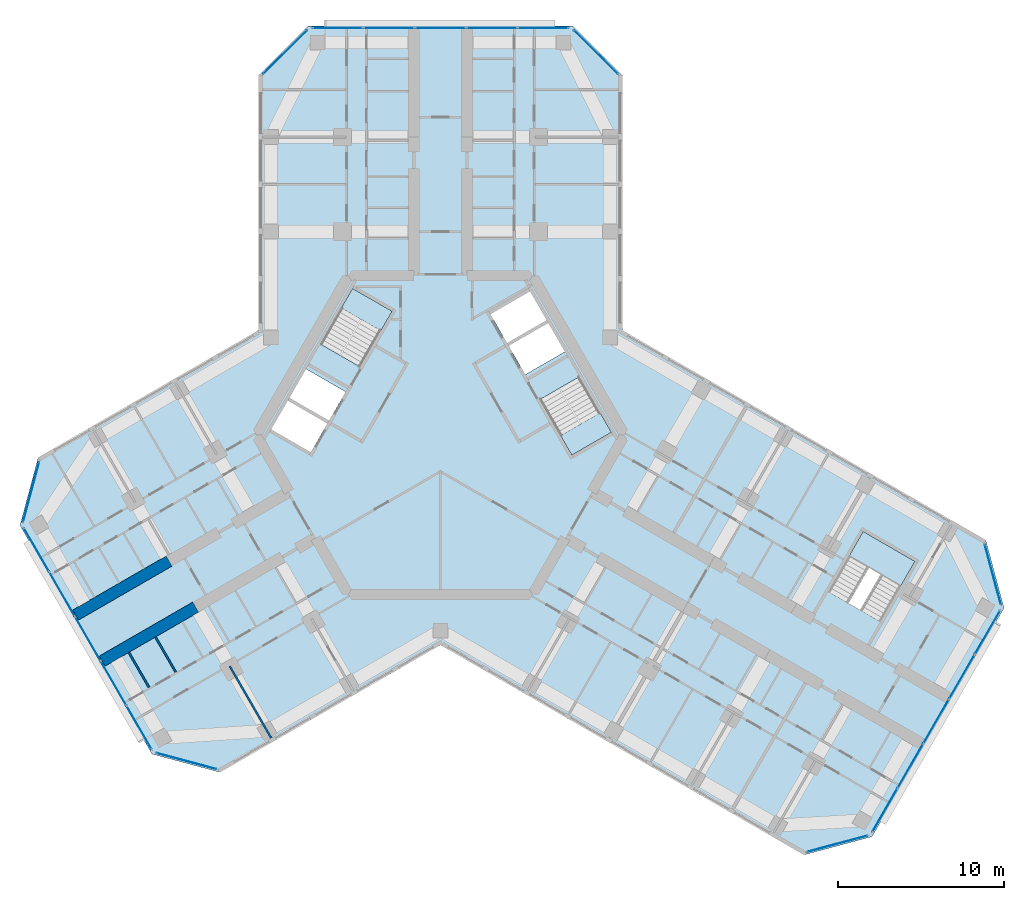
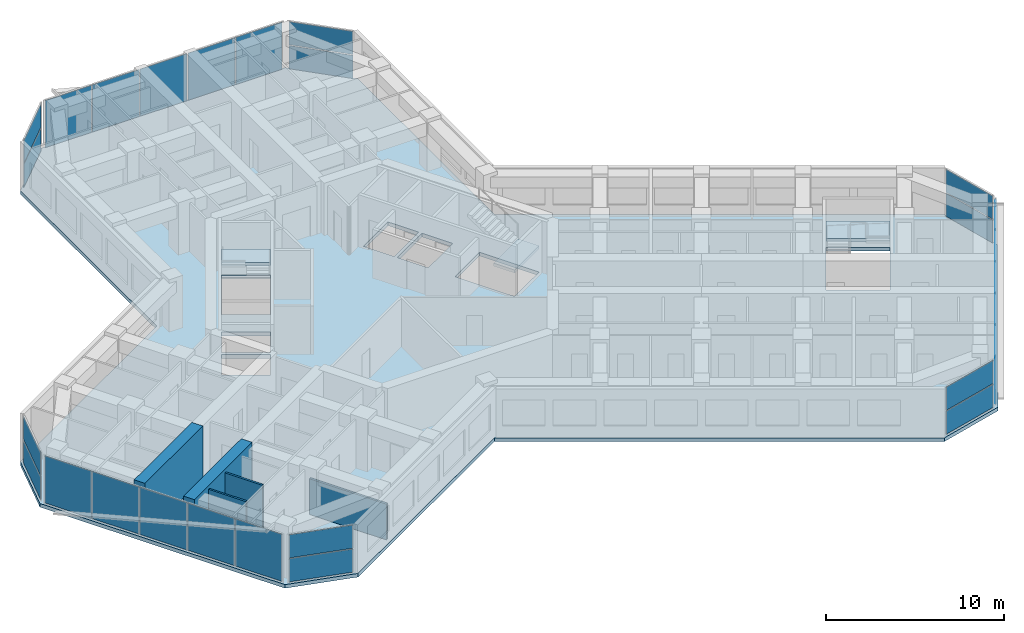
# One storey, part 7 of 16: 27 plates, 5 walls, 4 slabs, 12 elements without a shape of their own.
"""IFC4 building model written with IfcOpenShell, lengths in metres."""

from ifc_helpers import new_model, si_unit, direction, frame, frame_2d, origin, origin_2d, place, context, subcontext, project, spatial, polyline, rectangle, outline, extrude, material, layer, layer_set, type_object, element, aggregate, save


model = new_model("IFC4")

# Units and contexts
model_context = context("Model", 3, precision=1e-05, world=origin(), true_north=direction((0.0, 1.0)))
body_context = subcontext(model_context, "Body", "Model", "MODEL_VIEW")
ifc_project = project(units=[si_unit("LENGTHUNIT", "METRE"), si_unit("AREAUNIT", "SQUARE_METRE"), si_unit("VOLUMEUNIT", "CUBIC_METRE"), si_unit("PLANEANGLEUNIT", "RADIAN"), si_unit("MASSUNIT", "GRAM", prefix="KILO")], contexts=[model_context])

# Site, building, storey
site_placement = place(None, origin())
site = spatial("IfcSite", under=ifc_project, at=site_placement, CompositionType="ELEMENT")
building_placement = place(site_placement, origin())
building = spatial("IfcBuilding", under=site, at=building_placement, Name="Kosmar Iwan School Tower", CompositionType="ELEMENT")
storey_placement = place(building_placement, frame((0.0, 0.0, 201.0)))
storey = spatial("IfcBuildingStorey", under=building, at=storey_placement, Name="L50", CompositionType="ELEMENT", Elevation=201.0)

# Curtain wall, plates
ifc_material_1 = material(Name="Dark glass in black aluminium frame", Category="aluminium")
curtain_wall_type_1 = type_object("IfcCurtainWallType", Name="Chamfer curtain wall dark glass", PredefinedType="USERDEFINED", material=ifc_material_1)
curtain_wall_1_placement = place(storey_placement, origin())
curtain_wall_1 = element("IfcCurtainWall", 1, at=curtain_wall_1_placement, inside=storey, type_object=curtain_wall_type_1, Name="Curtain wall L50-F00", ObjectType="FACETED CURTAIN WALL", PredefinedType="USERDEFINED")
ifc_material_2 = material(Name="Dark glass", Category="glass")
ifc_layer_1 = layer(ifc_material_2, 0.028076171875)
ifc_layer_set_1 = layer_set([ifc_layer_1], Name="Dark glass panel 28")
plate_type = type_object("IfcPlateType", Name="Dark glass panel 28", PredefinedType="CURTAIN_PANEL", material=ifc_layer_set_1)
plate_1_placement = place(storey_placement, frame((23.908203125, -24.61328125, 0.06005859375), z_axis=(0.0, 0.0, 1.0), x_axis=(0.965925875495, 0.258818861462, 0.0)))
plate_1 = element("IfcPlate", 2, at=plate_1_placement, type_object=plate_type, Name="CW2 panel 1.1", PredefinedType="CURTAIN_PANEL", context=body_context, shape_type="SweptSolid", body=[
    extrude(rectangle(XDim=3.718994140625, YDim=0.028076171875, at=origin_2d()), origin(), (0.0, 0.0, 1.0), 1.5849609375),
])
plate_2_placement = place(storey_placement, frame((23.908203125, -24.61328125, 1.705078125), z_axis=(0.0, 0.0, 1.0), x_axis=(0.965925875495, 0.258818861462, 0.0)))
plate_2 = element("IfcPlate", 3, at=plate_2_placement, type_object=plate_type, Name="CW2 panel 1.2", PredefinedType="CURTAIN_PANEL", context=body_context, shape_type="SweptSolid", body=[
    extrude(rectangle(XDim=3.718994140625, YDim=0.028076171875, at=origin_2d()), origin(), (0.0, 0.0, 1.0), 1.5849609375),
])
aggregate(curtain_wall_1, [plate_1, plate_2])

ifc_material_3 = material(Name="Dark glass in black aluminium frame", Category="aluminium")
curtain_wall_type_2 = type_object("IfcCurtainWallType", Name="Tower curtain wall dark glass", PredefinedType="USERDEFINED", material=ifc_material_3)
curtain_wall_2_placement = place(storey_placement, origin())
curtain_wall_2 = element("IfcCurtainWall", 4, at=curtain_wall_2_placement, inside=storey, type_object=curtain_wall_type_2, Name="Curtain wall L50-F01", ObjectType="UNITISED CURTAIN WALL", PredefinedType="USERDEFINED")
plate_3_placement = place(storey_placement, frame((26.764404296875, -22.592529296875, 0.06005859375), z_axis=(0.0, 0.0, 1.0), x_axis=(0.499999997325, 0.866025405329, 0.0)))
plate_3 = element("IfcPlate", 5, at=plate_3_placement, type_object=plate_type, Name="CW1 panel 1.1", PredefinedType="CURTAIN_PANEL", context=body_context, shape_type="SweptSolid", body=[
    extrude(rectangle(XDim=3.00927734375, YDim=0.028076171875, at=origin_2d()), origin(), (0.0, 0.0, 1.0), 3.22998046875),
])
plate_4_placement = place(storey_placement, frame((28.306640625, -19.921630859375, 0.06005859375), z_axis=(0.0, 0.0, 1.0), x_axis=(0.499999997325, 0.866025405329, 0.0)))
plate_4 = element("IfcPlate", 6, at=plate_4_placement, type_object=plate_type, Name="CW1 panel 2.1", PredefinedType="CURTAIN_PANEL", context=body_context, shape_type="SweptSolid", body=[
    extrude(rectangle(XDim=3.039306640625, YDim=0.028076171875, at=origin_2d()), origin(), (0.0, 0.0, 1.0), 3.22998046875),
])
plate_5_placement = place(storey_placement, frame((29.856201171875, -17.237548828125, 0.06005859375), z_axis=(0.0, 0.0, 1.0), x_axis=(0.499999997325, 0.866025405329, 0.0)))
plate_5 = element("IfcPlate", 7, at=plate_5_placement, type_object=plate_type, Name="CW1 panel 3.1", PredefinedType="CURTAIN_PANEL", context=body_context, shape_type="SweptSolid", body=[
    extrude(rectangle(XDim=3.039306640625, YDim=0.028076171875, at=origin_2d()), origin(), (0.0, 0.0, 1.0), 3.22998046875),
])
plate_6_placement = place(storey_placement, frame((31.40576171875, -14.553466796875, 0.06005859375), z_axis=(0.0, 0.0, 1.0), x_axis=(0.499999997325, 0.866025405329, 0.0)))
plate_6 = element("IfcPlate", 8, at=plate_6_placement, type_object=plate_type, Name="CW1 panel 4.1", PredefinedType="CURTAIN_PANEL", context=body_context, shape_type="SweptSolid", body=[
    extrude(rectangle(XDim=3.039306640625, YDim=0.028076171875, at=origin_2d()), origin(), (0.0, 0.0, 1.0), 3.22998046875),
])
plate_7_placement = place(storey_placement, frame((32.947998046875, -11.88232421875, 0.06005859375), z_axis=(0.0, 0.0, 1.0), x_axis=(0.499999997325, 0.866025405329, 0.0)))
plate_7 = element("IfcPlate", 9, at=plate_7_placement, type_object=plate_type, Name="CW1 panel 5.1", PredefinedType="CURTAIN_PANEL", context=body_context, shape_type="SweptSolid", body=[
    extrude(rectangle(XDim=3.00927734375, YDim=0.028076171875, at=origin_2d()), origin(), (0.0, 0.0, 1.0), 3.22998046875),
])
aggregate(curtain_wall_2, [plate_3, plate_4, plate_5, plate_6, plate_7])

curtain_wall_3_placement = place(storey_placement, origin())
curtain_wall_3 = element("IfcCurtainWall", 10, at=curtain_wall_3_placement, inside=storey, type_object=curtain_wall_type_1, Name="Curtain wall L50-F02", ObjectType="FACETED CURTAIN WALL", PredefinedType="USERDEFINED")
plate_8_placement = place(storey_placement, frame((33.269775390625, -8.3984375, 0.06005859375), z_axis=(0.0, 0.0, 1.0), x_axis=(-0.258818861462, 0.965925875495, 0.0)))
plate_8 = element("IfcPlate", 11, at=plate_8_placement, type_object=plate_type, Name="CW2 panel 1.1", PredefinedType="CURTAIN_PANEL", context=body_context, shape_type="SweptSolid", body=[
    extrude(rectangle(XDim=3.718994140625, YDim=0.028076171875, at=origin_2d()), origin(), (0.0, 0.0, 1.0), 1.5849609375),
])
plate_9_placement = place(storey_placement, frame((33.269775390625, -8.3984375, 1.705078125), z_axis=(0.0, 0.0, 1.0), x_axis=(-0.258818861462, 0.965925875495, 0.0)))
plate_9 = element("IfcPlate", 12, at=plate_9_placement, type_object=plate_type, Name="CW2 panel 1.2", PredefinedType="CURTAIN_PANEL", context=body_context, shape_type="SweptSolid", body=[
    extrude(rectangle(XDim=3.718994140625, YDim=0.028076171875, at=origin_2d()), origin(), (0.0, 0.0, 1.0), 1.5849609375),
])
aggregate(curtain_wall_3, [plate_8, plate_9])

curtain_wall_4_placement = place(storey_placement, origin())
curtain_wall_4 = element("IfcCurtainWall", 13, at=curtain_wall_4_placement, inside=storey, type_object=curtain_wall_type_1, Name="Curtain wall L50-F05", ObjectType="FACETED CURTAIN WALL", PredefinedType="USERDEFINED")
plate_10_placement = place(storey_placement, frame((9.361572265625, 23.0615234375, 0.06005859375), z_axis=(0.0, 0.0, 1.0), x_axis=(-0.707106781187, 0.707106781187, 0.0)))
plate_10 = element("IfcPlate", 14, at=plate_10_placement, type_object=plate_type, Name="CW2 panel 1.1", PredefinedType="CURTAIN_PANEL", context=body_context, shape_type="SweptSolid", body=[
    extrude(rectangle(XDim=3.718994140625, YDim=0.028076171875, at=origin_2d()), origin(), (0.0, 0.0, 1.0), 1.5849609375),
])
plate_11_placement = place(storey_placement, frame((9.361572265625, 23.0615234375, 1.705078125), z_axis=(0.0, 0.0, 1.0), x_axis=(-0.707106781187, 0.707106781187, 0.0)))
plate_11 = element("IfcPlate", 15, at=plate_11_placement, type_object=plate_type, Name="CW2 panel 1.2", PredefinedType="CURTAIN_PANEL", context=body_context, shape_type="SweptSolid", body=[
    extrude(rectangle(XDim=3.718994140625, YDim=0.028076171875, at=origin_2d()), origin(), (0.0, 0.0, 1.0), 1.5849609375),
])
aggregate(curtain_wall_4, [plate_10, plate_11])

curtain_wall_5_placement = place(storey_placement, origin())
curtain_wall_5 = element("IfcCurtainWall", 16, at=curtain_wall_5_placement, inside=storey, type_object=curtain_wall_type_2, Name="Curtain wall L50-F06", ObjectType="UNITISED CURTAIN WALL", PredefinedType="USERDEFINED")
plate_12_placement = place(storey_placement, frame((6.18359375, 24.52490234375, 0.06005859375), z_axis=(0.0, 0.0, 1.0), x_axis=(-1.0, 0.0, 0.0)))
plate_12 = element("IfcPlate", 17, at=plate_12_placement, type_object=plate_type, Name="CW1 panel 1.1", PredefinedType="CURTAIN_PANEL", context=body_context, shape_type="SweptSolid", body=[
    extrude(rectangle(XDim=3.00927734375, YDim=0.028076171875, at=origin_2d()), origin(), (0.0, 0.0, 1.0), 3.22998046875),
])
plate_13_placement = place(storey_placement, frame((3.099365234375, 24.52490234375, 0.06005859375), z_axis=(0.0, 0.0, 1.0), x_axis=(-1.0, 0.0, 0.0)))
plate_13 = element("IfcPlate", 18, at=plate_13_placement, type_object=plate_type, Name="CW1 panel 2.1", PredefinedType="CURTAIN_PANEL", context=body_context, shape_type="SweptSolid", body=[
    extrude(rectangle(XDim=3.039306640625, YDim=0.028076171875, at=origin_2d()), origin(), (0.0, 0.0, 1.0), 3.22998046875),
])
plate_14_placement = place(storey_placement, frame((0.0, 24.52490234375, 0.06005859375), z_axis=(0.0, 0.0, 1.0), x_axis=(-1.0, 0.0, 0.0)))
plate_14 = element("IfcPlate", 19, at=plate_14_placement, type_object=plate_type, Name="CW1 panel 3.1", PredefinedType="CURTAIN_PANEL", context=body_context, shape_type="SweptSolid", body=[
    extrude(rectangle(XDim=3.039306640625, YDim=0.028076171875, at=origin_2d()), origin(), (0.0, 0.0, 1.0), 3.22998046875),
])
plate_15_placement = place(storey_placement, frame((-3.099365234375, 24.52490234375, 0.06005859375), z_axis=(0.0, 0.0, 1.0), x_axis=(-1.0, 0.0, 0.0)))
plate_15 = element("IfcPlate", 20, at=plate_15_placement, type_object=plate_type, Name="CW1 panel 4.1", PredefinedType="CURTAIN_PANEL", context=body_context, shape_type="SweptSolid", body=[
    extrude(rectangle(XDim=3.039306640625, YDim=0.028076171875, at=origin_2d()), origin(), (0.0, 0.0, 1.0), 3.22998046875),
])
plate_16_placement = place(storey_placement, frame((-6.18359375, 24.52490234375, 0.06005859375), z_axis=(0.0, 0.0, 1.0), x_axis=(-1.0, 0.0, 0.0)))
plate_16 = element("IfcPlate", 21, at=plate_16_placement, type_object=plate_type, Name="CW1 panel 5.1", PredefinedType="CURTAIN_PANEL", context=body_context, shape_type="SweptSolid", body=[
    extrude(rectangle(XDim=3.00927734375, YDim=0.028076171875, at=origin_2d()), origin(), (0.0, 0.0, 1.0), 3.22998046875),
])
aggregate(curtain_wall_5, [plate_12, plate_13, plate_14, plate_15, plate_16])

curtain_wall_6_placement = place(storey_placement, origin())
curtain_wall_6 = element("IfcCurtainWall", 22, at=curtain_wall_6_placement, inside=storey, type_object=curtain_wall_type_1, Name="Curtain wall L50-F07", ObjectType="FACETED CURTAIN WALL", PredefinedType="USERDEFINED")
plate_17_placement = place(storey_placement, frame((-9.361572265625, 23.0615234375, 0.06005859375), z_axis=(0.0, 0.0, 1.0), x_axis=(-0.707106781187, -0.707106781187, 0.0)))
plate_17 = element("IfcPlate", 23, at=plate_17_placement, type_object=plate_type, Name="CW2 panel 1.1", PredefinedType="CURTAIN_PANEL", context=body_context, shape_type="SweptSolid", body=[
    extrude(rectangle(XDim=3.718994140625, YDim=0.028076171875, at=origin_2d()), origin(), (0.0, 0.0, 1.0), 1.5849609375),
])
plate_18_placement = place(storey_placement, frame((-9.361572265625, 23.0615234375, 1.705078125), z_axis=(0.0, 0.0, 1.0), x_axis=(-0.707106781187, -0.707106781187, 0.0)))
plate_18 = element("IfcPlate", 24, at=plate_18_placement, type_object=plate_type, Name="CW2 panel 1.2", PredefinedType="CURTAIN_PANEL", context=body_context, shape_type="SweptSolid", body=[
    extrude(rectangle(XDim=3.718994140625, YDim=0.028076171875, at=origin_2d()), origin(), (0.0, 0.0, 1.0), 1.5849609375),
])
aggregate(curtain_wall_6, [plate_17, plate_18])

curtain_wall_7_placement = place(storey_placement, origin())
curtain_wall_7 = element("IfcCurtainWall", 25, at=curtain_wall_7_placement, inside=storey, type_object=curtain_wall_type_1, Name="Curtain wall L50-F10", ObjectType="FACETED CURTAIN WALL", PredefinedType="USERDEFINED")
plate_19_placement = place(storey_placement, frame((-24.65283203125, -3.42333984375, 0.06005859375), z_axis=(0.0, 0.0, 1.0), x_axis=(-0.258818861462, -0.965925875495, 0.0)))
plate_19 = element("IfcPlate", 26, at=plate_19_placement, type_object=plate_type, Name="CW2 panel 1.1", PredefinedType="CURTAIN_PANEL", context=body_context, shape_type="SweptSolid", body=[
    extrude(rectangle(XDim=3.718994140625, YDim=0.028076171875, at=origin_2d()), origin(), (0.0, 0.0, 1.0), 1.5849609375),
])
plate_20_placement = place(storey_placement, frame((-24.65283203125, -3.42333984375, 1.705078125), z_axis=(0.0, 0.0, 1.0), x_axis=(-0.258818861462, -0.965925875495, 0.0)))
plate_20 = element("IfcPlate", 27, at=plate_20_placement, type_object=plate_type, Name="CW2 panel 1.2", PredefinedType="CURTAIN_PANEL", context=body_context, shape_type="SweptSolid", body=[
    extrude(rectangle(XDim=3.718994140625, YDim=0.028076171875, at=origin_2d()), origin(), (0.0, 0.0, 1.0), 1.5849609375),
])
aggregate(curtain_wall_7, [plate_19, plate_20])

curtain_wall_8_placement = place(storey_placement, origin())
curtain_wall_8 = element("IfcCurtainWall", 28, at=curtain_wall_8_placement, inside=storey, type_object=curtain_wall_type_2, Name="Curtain wall L50-F11", ObjectType="UNITISED CURTAIN WALL", PredefinedType="USERDEFINED")
plate_21_placement = place(storey_placement, frame((-24.3310546875, -6.907470703125, 0.06005859375), z_axis=(0.0, 0.0, 1.0), x_axis=(0.499999997325, -0.866025405329, 0.0)))
plate_21 = element("IfcPlate", 29, at=plate_21_placement, type_object=plate_type, Name="CW1 panel 1.1", PredefinedType="CURTAIN_PANEL", context=body_context, shape_type="SweptSolid", body=[
    extrude(rectangle(XDim=3.00927734375, YDim=0.028076171875, at=origin_2d()), origin(), (0.0, 0.0, 1.0), 3.22998046875),
])
plate_22_placement = place(storey_placement, frame((-22.788818359375, -9.578369140625, 0.06005859375), z_axis=(0.0, 0.0, 1.0), x_axis=(0.499999997325, -0.866025405329, 0.0)))
plate_22 = element("IfcPlate", 30, at=plate_22_placement, type_object=plate_type, Name="CW1 panel 2.1", PredefinedType="CURTAIN_PANEL", context=body_context, shape_type="SweptSolid", body=[
    extrude(rectangle(XDim=3.039306640625, YDim=0.028076171875, at=origin_2d()), origin(), (0.0, 0.0, 1.0), 3.22998046875),
])
plate_23_placement = place(storey_placement, frame((-21.2392578125, -12.262451171875, 0.06005859375), z_axis=(0.0, 0.0, 1.0), x_axis=(0.499999997325, -0.866025405329, 0.0)))
plate_23 = element("IfcPlate", 31, at=plate_23_placement, type_object=plate_type, Name="CW1 panel 3.1", PredefinedType="CURTAIN_PANEL", context=body_context, shape_type="SweptSolid", body=[
    extrude(rectangle(XDim=3.039306640625, YDim=0.028076171875, at=origin_2d()), origin(), (0.0, 0.0, 1.0), 3.22998046875),
])
plate_24_placement = place(storey_placement, frame((-19.689697265625, -14.946533203125, 0.06005859375), z_axis=(0.0, 0.0, 1.0), x_axis=(0.499999997325, -0.866025405329, 0.0)))
plate_24 = element("IfcPlate", 32, at=plate_24_placement, type_object=plate_type, Name="CW1 panel 4.1", PredefinedType="CURTAIN_PANEL", context=body_context, shape_type="SweptSolid", body=[
    extrude(rectangle(XDim=3.039306640625, YDim=0.028076171875, at=origin_2d()), origin(), (0.0, 0.0, 1.0), 3.22998046875),
])
plate_25_placement = place(storey_placement, frame((-18.1474609375, -17.61767578125, 0.06005859375), z_axis=(0.0, 0.0, 1.0), x_axis=(0.499999997325, -0.866025405329, 0.0)))
plate_25 = element("IfcPlate", 33, at=plate_25_placement, type_object=plate_type, Name="CW1 panel 5.1", PredefinedType="CURTAIN_PANEL", context=body_context, shape_type="SweptSolid", body=[
    extrude(rectangle(XDim=3.00927734375, YDim=0.028076171875, at=origin_2d()), origin(), (0.0, 0.0, 1.0), 3.22998046875),
])
aggregate(curtain_wall_8, [plate_21, plate_22, plate_23, plate_24, plate_25])

curtain_wall_9_placement = place(storey_placement, origin())
curtain_wall_9 = element("IfcCurtainWall", 34, at=curtain_wall_9_placement, inside=storey, type_object=curtain_wall_type_1, Name="Curtain wall L50-F12", ObjectType="FACETED CURTAIN WALL", PredefinedType="USERDEFINED")
plate_26_placement = place(storey_placement, frame((-15.291015625, -19.63818359375, 0.06005859375), z_axis=(0.0, 0.0, 1.0), x_axis=(0.965925875495, -0.258818861462, 0.0)))
plate_26 = element("IfcPlate", 35, at=plate_26_placement, type_object=plate_type, Name="CW2 panel 1.1", PredefinedType="CURTAIN_PANEL", context=body_context, shape_type="SweptSolid", body=[
    extrude(rectangle(XDim=3.718994140625, YDim=0.028076171875, at=origin_2d()), origin(), (0.0, 0.0, 1.0), 1.5849609375),
])
plate_27_placement = place(storey_placement, frame((-15.291015625, -19.63818359375, 1.705078125), z_axis=(0.0, 0.0, 1.0), x_axis=(0.965925875495, -0.258818861462, 0.0)))
plate_27 = element("IfcPlate", 36, at=plate_27_placement, type_object=plate_type, Name="CW2 panel 1.2", PredefinedType="CURTAIN_PANEL", context=body_context, shape_type="SweptSolid", body=[
    extrude(rectangle(XDim=3.718994140625, YDim=0.028076171875, at=origin_2d()), origin(), (0.0, 0.0, 1.0), 1.5849609375),
])
aggregate(curtain_wall_9, [plate_26, plate_27])

# Stair, slab
ifc_material_4 = material(Name="Concrete C35/45", Category="concrete")
stair_type_1 = type_object("IfcStairType", Name="Escape stair 3600", PredefinedType="HALF_TURN_STAIR", material=ifc_material_4)
stair_1_placement = place(storey_placement, origin())
stair_1 = element("IfcStair", 37, at=stair_1_placement, inside=storey, type_object=stair_type_1, Name="Stair WS3 L50", PredefinedType="HALF_TURN_STAIR")
ifc_material_5 = material(Name="Concrete C35/45", Category="concrete")
ifc_layer_2 = layer(ifc_material_5, 0.199951171875)
ifc_layer_set_2 = layer_set([ifc_layer_2], Name="Escape stair landing 200")
slab_type_1 = type_object("IfcSlabType", Name="Escape stair landing 200", PredefinedType="LANDING", material=ifc_layer_set_2)
slab_1_placement = place(storey_placement, frame((0.0, 0.0, 1.60009765625)))
slab_1 = element("IfcSlab", 38, at=slab_1_placement, type_object=slab_type_1, Name="WS3 landing 1", PredefinedType="LANDING", context=body_context, shape_type="SweptSolid", body=[
    extrude(outline(polyline([(24.607421875, -7.27880859375), (27.72509765625, -9.078857421875), (28.574951171875, -7.606689453125), (25.457275390625, -5.806640625), (24.607421875, -7.27880859375)])), origin(), (0.0, 0.0, 1.0), 0.199951171875),
])
aggregate(stair_1, [slab_1])

# Slab
ifc_material_6 = material(Name="Concrete C35/45", Category="concrete")
ifc_layer_3 = layer(ifc_material_6, 0.25)
ifc_layer_set_3 = layer_set([ifc_layer_3], Name="Floor slab 250")
slab_type_2 = type_object("IfcSlabType", Name="Floor slab 250", PredefinedType="FLOOR", material=ifc_layer_set_3)
slab_2_placement = place(storey_placement, frame((0.0, 0.0, -0.25)))
element("IfcSlab", 39, at=slab_2_placement, inside=storey, type_object=slab_type_2, Name="L50 floor slab", PredefinedType="FLOOR", context=body_context, shape_type="SweptSolid", body=[
    extrude(outline(polyline([(21.891357421875, -25.282958984375), (25.989501953125, -24.184814453125), (33.939453125, -10.4150390625), (32.84130859375, -6.317138671875), (10.949951171875, 6.322021484375), (10.949951171875, 21.64990234375), (7.949951171875, 24.64990234375), (-7.949951171875, 24.64990234375), (-10.949951171875, 21.64990234375), (-10.949951171875, 6.322021484375), (-24.224365234375, -1.342041015625), (-25.322509765625, -5.440185546875), (-17.37255859375, -19.2099609375), (-13.2744140625, -20.307861328125), (0.0, -12.64404296875), (21.891357421875, -25.282958984375)]), holes=[polyline([(7.91259765625, -1.205078125), (10.294189453125, 0.169921875), (8.3642578125, 3.5126953125), (5.982666015625, 2.1376953125), (7.91259765625, -1.205078125)]), polyline([(-2.91259765625, 7.455078125), (-5.294189453125, 8.830078125), (-7.22412109375, 5.4873046875), (-4.8427734375, 4.1123046875), (-2.91259765625, 7.455078125)]), polyline([(-5.712646484375, 2.60546875), (-8.09423828125, 3.98046875), (-9.09423828125, 2.248291015625), (-6.712646484375, 0.873291015625), (-5.712646484375, 2.60546875)]), polyline([(-6.812744140625, 0.7001953125), (-9.1943359375, 2.0751953125), (-10.1943359375, 0.343017578125), (-7.812744140625, -1.031982421875), (-6.812744140625, 0.7001953125)]), polyline([(5.112548828125, 3.64453125), (7.494140625, 5.01953125), (6.494140625, 6.751708984375), (4.112548828125, 5.376708984375), (5.112548828125, 3.64453125)]), polyline([(4.0126953125, 5.5498046875), (6.394287109375, 6.9248046875), (5.394287109375, 8.656982421875), (3.0126953125, 7.281982421875), (4.0126953125, 5.5498046875)]), polyline([(23.367431640625, -9.426513671875), (26.485107421875, -11.2265625), (28.574951171875, -7.606689453125), (25.457275390625, -5.806640625), (23.367431640625, -9.426513671875)])]), origin(), (0.0, 0.0, 1.0), 0.25),
])

# Stair, slab
ifc_material_7 = material(Name="Concrete C35/45", Category="concrete")
stair_type_2 = type_object("IfcStairType", Name="Core stair 2750", PredefinedType="HALF_TURN_STAIR", material=ifc_material_7)
stair_2_placement = place(storey_placement, origin())
stair_2 = element("IfcStair", 40, at=stair_2_placement, inside=storey, type_object=stair_type_2, Name="Stair ST2 L50", PredefinedType="HALF_TURN_STAIR")
ifc_material_8 = material(Name="Concrete C35/45", Category="concrete")
ifc_layer_4 = layer(ifc_material_8, 0.199951171875)
ifc_layer_set_4 = layer_set([ifc_layer_4], Name="Stair landing 200")
slab_type_3 = type_object("IfcSlabType", Name="Stair landing 200", PredefinedType="LANDING", material=ifc_layer_set_4)
slab_3_placement = place(storey_placement, frame((0.0, 0.0, 1.60009765625)))
slab_3 = element("IfcSlab", 41, at=slab_3_placement, type_object=slab_type_3, Name="ST2 landing 1", PredefinedType="LANDING", context=body_context, shape_type="SweptSolid", body=[
    extrude(outline(polyline([(-2.91259765625, 7.455078125), (-5.294189453125, 8.830078125), (-5.97412109375, 7.65234375), (-3.5927734375, 6.27734375), (-2.91259765625, 7.455078125)])), origin(), (0.0, 0.0, 1.0), 0.199951171875),
])
aggregate(stair_2, [slab_3])

stair_3_placement = place(storey_placement, origin())
stair_3 = element("IfcStair", 42, at=stair_3_placement, inside=storey, type_object=stair_type_2, Name="Stair ST1 L50", PredefinedType="HALF_TURN_STAIR")
slab_4_placement = place(storey_placement, frame((0.0, 0.0, 1.60009765625)))
slab_4 = element("IfcSlab", 43, at=slab_4_placement, type_object=slab_type_3, Name="ST1 landing 1", PredefinedType="LANDING", context=body_context, shape_type="SweptSolid", body=[
    extrude(outline(polyline([(7.91259765625, -1.205078125), (10.294189453125, 0.169921875), (9.6142578125, 1.34765625), (7.232666015625, -0.02734375), (7.91259765625, -1.205078125)])), origin(), (0.0, 0.0, 1.0), 0.199951171875),
])
aggregate(stair_3, [slab_4])

# Walls
ifc_material_9 = material(Name="Concrete C50/60", Category="concrete")
ifc_layer_5 = layer(ifc_material_9, 0.699951171875)
ifc_layer_set_5 = layer_set([ifc_layer_5], Name="Corridor buttress wall 700")
wall_type_1 = type_object("IfcWallType", Name="Corridor buttress wall 700", PredefinedType="SHEAR", material=ifc_layer_set_5)
wall_1_placement = place(storey_placement, frame((-14.7451171875, -10.360595703125, 0.0), z_axis=(0.0, 0.0, 1.0), x_axis=(-0.866027848477, -0.499995765644, 0.0)))
element("IfcWall", 44, at=wall_1_placement, inside=storey, type_object=wall_type_1, Name="Corridor wall BL bay 2", PredefinedType="SHEAR", context=body_context, shape_type="SweptSolid", body=[
    extrude(rectangle(XDim=6.4951171875, YDim=0.699951171875, at=frame_2d((3.24755859375, 0.0))), origin(), (0.0, 0.0, 1.0), 3.60009765625),
])
wall_2_placement = place(storey_placement, frame((-16.34521484375, -7.58935546875, 0.0), z_axis=(0.0, 0.0, 1.0), x_axis=(-0.866018451174, -0.500012042081, 0.0)))
element("IfcWall", 45, at=wall_2_placement, inside=storey, type_object=wall_type_1, Name="Corridor wall BR bay 2", PredefinedType="SHEAR", context=body_context, shape_type="SweptSolid", body=[
    extrude(rectangle(XDim=6.494873046875, YDim=0.699951171875, at=frame_2d((3.24755859375, 0.0))), origin(), (0.0, 0.0, 1.0), 3.60009765625),
])
ifc_material_10 = material(Name="Gypsum board on steel studs", Category="steel")
ifc_layer_6 = layer(ifc_material_10, 0.1201171875)
ifc_layer_set_6 = layer_set([ifc_layer_6], Name="Dwelling partition 120")
wall_type_2 = type_object("IfcWallType", Name="Dwelling partition 120", PredefinedType="PARTITIONING", material=ifc_layer_set_6)
wall_3_placement = place(storey_placement, frame((-12.690185546875, -13.919921875, 0.0), z_axis=(0.0, 0.0, 1.0), x_axis=(0.500011847778, -0.866018563358, 0.0)))
element("IfcWall", 46, at=wall_3_placement, inside=storey, type_object=wall_type_2, Name="Partition L50-BL1-X2", PredefinedType="PARTITIONING", context=body_context, shape_type="SweptSolid", body=[
    extrude(rectangle(XDim=4.990234375, YDim=0.1201171875, at=frame_2d((2.4951171875, 0.0))), origin(), (0.0, 0.0, 1.0), 2.449951171875),
])
for number, where, z_axis, x_axis, name in (
    (47, (-17.16162109375, -12.159912109375, 0.0), (0.0, 0.0, 1.0), (0.500002508028, -0.866023955769, 0.0), "Partition L50-BL1-Y5"),
    (48, (-18.76708984375, -13.0869140625, 0.0), (0.0, 0.0, 1.0), (0.500002508028, -0.866023955769, 0.0), "Partition L50-BL1-Y6"),
):
    element("IfcWall", number, at=place(storey_placement, frame(where, z_axis=z_axis, x_axis=x_axis)), inside=storey, type_object=wall_type_2, Name=name, PredefinedType="PARTITIONING", context=body_context, shape_type="SweptSolid", body=[
        extrude(rectangle(XDim=2.43994140625, YDim=0.1201171875, at=frame_2d((1.219970703125, 0.0))), origin(), (0.0, 0.0, 1.0), 3.35009765625),
    ])

save(model, "model.ifc")
